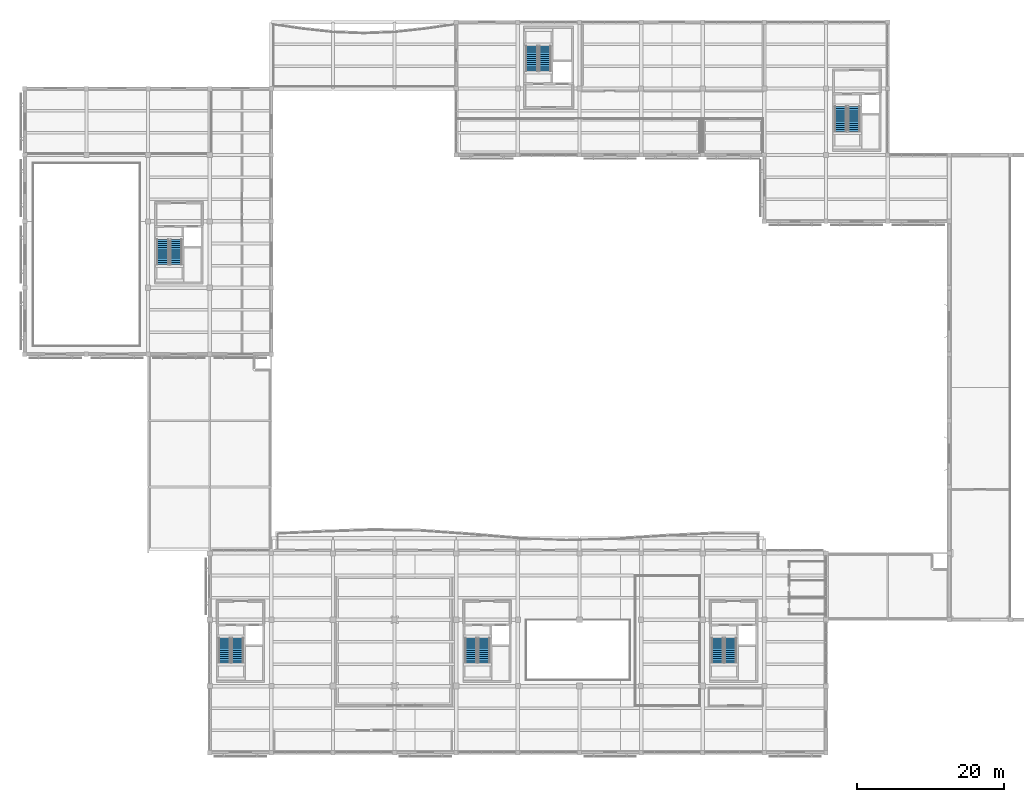
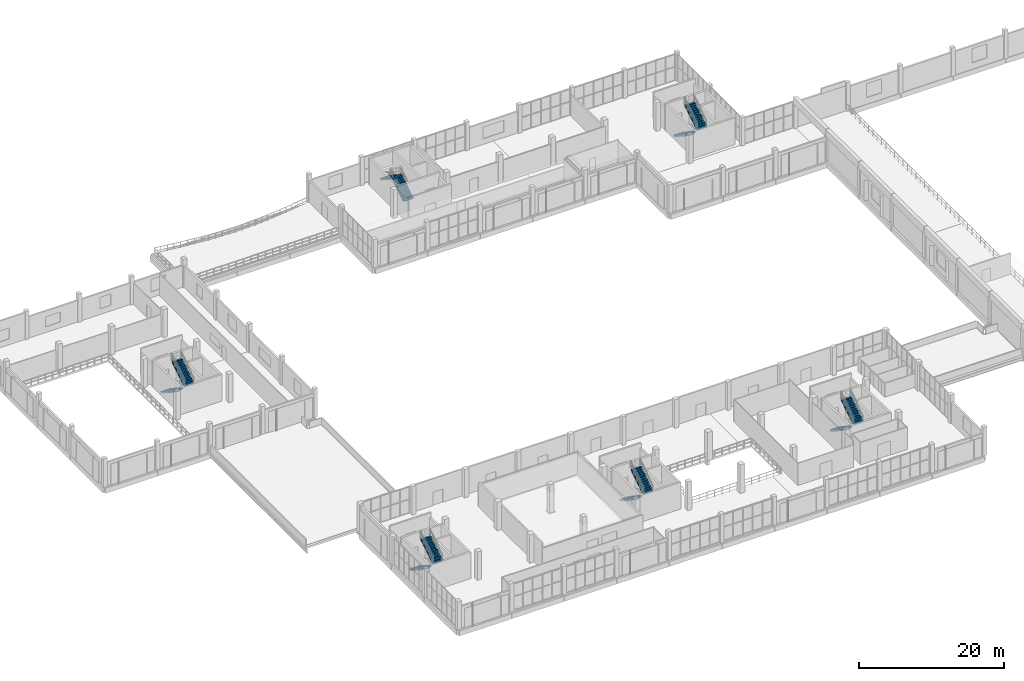
# One storey, part 63 of 80: 12 stair flights, 6 elements without a shape of their own.
"""IFC4 building model written with IfcOpenShell, lengths in metres."""

from ifc_helpers import new_model, si_unit, direction, frame, origin, place, context, subcontext, project, spatial, polyline, outline, extrude, material, type_object, element, aggregate, save


model = new_model("IFC4")

# Units and contexts
model_context = context("Model", 3, precision=1e-05, world=origin(), true_north=direction((0.0, 1.0)))
body_context = subcontext(model_context, "Body", "Model", "MODEL_VIEW")
ifc_project = project(units=[si_unit("LENGTHUNIT", "METRE"), si_unit("AREAUNIT", "SQUARE_METRE"), si_unit("VOLUMEUNIT", "CUBIC_METRE"), si_unit("PLANEANGLEUNIT", "RADIAN"), si_unit("MASSUNIT", "GRAM", prefix="KILO")], contexts=[model_context])

# Site, building, storey
site_placement = place(None, origin())
site = spatial("IfcSite", under=ifc_project, at=site_placement, CompositionType="ELEMENT")
building_placement = place(site_placement, origin())
building = spatial("IfcBuilding", under=site, at=building_placement, Name="Khurvash Pelagic Aquarium", CompositionType="ELEMENT")
storey_placement = place(building_placement, frame((0.0, 0.0, 10.800048828125)))
storey = spatial("IfcBuildingStorey", under=building, at=storey_placement, Name="L02", CompositionType="ELEMENT", Elevation=10.800048828125)

# Stair, stair flights
ifc_material = material(Name="Concrete C35/45", Category="concrete")
stair_type_1 = type_object("IfcStairType", Name="ST-01", PredefinedType="HALF_TURN_STAIR", material=ifc_material)
stair_1_placement = place(storey_placement, origin())
stair_1 = element("IfcStair", 1, at=stair_1_placement, inside=storey, type_object=stair_type_1, Name="L02 Protected Exit Stair ST-01", PredefinedType="HALF_TURN_STAIR")
stair_flight_type = type_object("IfcStairFlightType", Name="SF-150", PredefinedType="STRAIGHT", material=ifc_material)
stair_flight_1_placement = place(storey_placement, frame((27.199951171875, 18.25, 0.0), z_axis=(0.0, 0.0, 1.0), x_axis=(0.0, -1.0, 0.0)))
stair_flight_1 = element("IfcStairFlight", 2, at=stair_flight_1_placement, type_object=stair_flight_type, Name="ST-01 flight 1", NumberOfRisers=13, NumberOfTreads=12, PredefinedType="STRAIGHT", RiserHeight=0.184615385, TreadLength=0.285, context=body_context, shape_type="SweptSolid", body=[
    extrude(outline(polyline([(0.0, 0.0), (0.0, 0.1845703125), (0.284912109375, 0.1845703125), (0.284912109375, 0.369140625), (0.570068359375, 0.369140625), (0.570068359375, 0.553955078125), (0.85498046875, 0.553955078125), (0.85498046875, 0.738525390625), (1.139892578125, 0.738525390625), (1.139892578125, 0.923095703125), (1.425048828125, 0.923095703125), (1.425048828125, 1.107666015625), (1.7099609375, 1.107666015625), (1.7099609375, 1.292236328125), (1.9951171875, 1.292236328125), (1.9951171875, 1.476806640625), (2.280029296875, 1.476806640625), (2.280029296875, 1.66162109375), (2.56494140625, 1.66162109375), (2.56494140625, 1.84619140625), (2.85009765625, 1.84619140625), (2.85009765625, 2.03076171875), (3.135009765625, 2.03076171875), (3.135009765625, 2.21533203125), (3.419921875, 2.21533203125), (3.419921875, 2.39990234375), (3.419921875, 2.0009765625), (0.3310546875, 0.0), (0.0, 0.0)])), frame((0.0, 0.800048828125, 0.0), z_axis=(0.0, -1.0, 0.0), x_axis=(1.0, 0.0, 0.0)), (0.0, 0.0, 1.0), 1.60009765625),
])
stair_flight_2_placement = place(storey_placement, frame((29.0, 14.830078125, 2.39990234375), z_axis=(0.0, 0.0, 1.0), x_axis=(0.0, 1.0, 0.0)))
stair_flight_2 = element("IfcStairFlight", 3, at=stair_flight_2_placement, type_object=stair_flight_type, Name="ST-01 flight 2", NumberOfRisers=13, NumberOfTreads=12, PredefinedType="STRAIGHT", RiserHeight=0.184615385, TreadLength=0.285, context=body_context, shape_type="SweptSolid", body=[
    extrude(outline(polyline([(0.0, 0.0), (0.0, 0.1845703125), (0.284912109375, 0.1845703125), (0.284912109375, 0.369140625), (0.570068359375, 0.369140625), (0.570068359375, 0.553955078125), (0.85498046875, 0.553955078125), (0.85498046875, 0.738525390625), (1.139892578125, 0.738525390625), (1.139892578125, 0.923095703125), (1.425048828125, 0.923095703125), (1.425048828125, 1.107666015625), (1.7099609375, 1.107666015625), (1.7099609375, 1.292236328125), (1.9951171875, 1.292236328125), (1.9951171875, 1.476806640625), (2.280029296875, 1.476806640625), (2.280029296875, 1.66162109375), (2.56494140625, 1.66162109375), (2.56494140625, 1.84619140625), (2.85009765625, 1.84619140625), (2.85009765625, 2.03076171875), (3.135009765625, 2.03076171875), (3.135009765625, 2.21533203125), (3.419921875, 2.21533203125), (3.419921875, 2.39990234375), (3.419921875, 2.0009765625), (0.3310546875, 0.0), (0.0, 0.0)])), frame((0.0, 0.800048828125, 0.0), z_axis=(0.0, -1.0, 0.0), x_axis=(1.0, 0.0, 0.0)), (0.0, 0.0, 1.0), 1.60009765625),
])
aggregate(stair_1, [stair_flight_1, stair_flight_2])

stair_type_2 = type_object("IfcStairType", Name="ST-02", PredefinedType="HALF_TURN_STAIR", material=ifc_material)
stair_2_placement = place(storey_placement, origin())
stair_2 = element("IfcStair", 4, at=stair_2_placement, inside=storey, type_object=stair_type_2, Name="L02 Protected Exit Stair ST-02", PredefinedType="HALF_TURN_STAIR")
stair_flight_3_placement = place(storey_placement, frame((60.800048828125, 18.25, 0.0), z_axis=(0.0, 0.0, 1.0), x_axis=(0.0, -1.0, 0.0)))
stair_flight_3 = element("IfcStairFlight", 5, at=stair_flight_3_placement, type_object=stair_flight_type, Name="ST-02 flight 1", NumberOfRisers=13, NumberOfTreads=12, PredefinedType="STRAIGHT", RiserHeight=0.184615385, TreadLength=0.285, context=body_context, shape_type="SweptSolid", body=[
    extrude(outline(polyline([(0.0, 0.0), (0.0, 0.1845703125), (0.284912109375, 0.1845703125), (0.284912109375, 0.369140625), (0.570068359375, 0.369140625), (0.570068359375, 0.553955078125), (0.85498046875, 0.553955078125), (0.85498046875, 0.738525390625), (1.139892578125, 0.738525390625), (1.139892578125, 0.923095703125), (1.425048828125, 0.923095703125), (1.425048828125, 1.107666015625), (1.7099609375, 1.107666015625), (1.7099609375, 1.292236328125), (1.9951171875, 1.292236328125), (1.9951171875, 1.476806640625), (2.280029296875, 1.476806640625), (2.280029296875, 1.66162109375), (2.56494140625, 1.66162109375), (2.56494140625, 1.84619140625), (2.85009765625, 1.84619140625), (2.85009765625, 2.03076171875), (3.135009765625, 2.03076171875), (3.135009765625, 2.21533203125), (3.419921875, 2.21533203125), (3.419921875, 2.39990234375), (3.419921875, 2.0009765625), (0.3310546875, 0.0), (0.0, 0.0)])), frame((0.0, 0.800048828125, 0.0), z_axis=(0.0, -1.0, 0.0), x_axis=(1.0, 0.0, 0.0)), (0.0, 0.0, 1.0), 1.60009765625),
])
stair_flight_4_placement = place(storey_placement, frame((62.60009765625, 14.830078125, 2.39990234375), z_axis=(0.0, 0.0, 1.0), x_axis=(0.0, 1.0, 0.0)))
stair_flight_4 = element("IfcStairFlight", 6, at=stair_flight_4_placement, type_object=stair_flight_type, Name="ST-02 flight 2", NumberOfRisers=13, NumberOfTreads=12, PredefinedType="STRAIGHT", RiserHeight=0.184615385, TreadLength=0.285, context=body_context, shape_type="SweptSolid", body=[
    extrude(outline(polyline([(0.0, 0.0), (0.0, 0.1845703125), (0.284912109375, 0.1845703125), (0.284912109375, 0.369140625), (0.570068359375, 0.369140625), (0.570068359375, 0.553955078125), (0.85498046875, 0.553955078125), (0.85498046875, 0.738525390625), (1.139892578125, 0.738525390625), (1.139892578125, 0.923095703125), (1.425048828125, 0.923095703125), (1.425048828125, 1.107666015625), (1.7099609375, 1.107666015625), (1.7099609375, 1.292236328125), (1.9951171875, 1.292236328125), (1.9951171875, 1.476806640625), (2.280029296875, 1.476806640625), (2.280029296875, 1.66162109375), (2.56494140625, 1.66162109375), (2.56494140625, 1.84619140625), (2.85009765625, 1.84619140625), (2.85009765625, 2.03076171875), (3.135009765625, 2.03076171875), (3.135009765625, 2.21533203125), (3.419921875, 2.21533203125), (3.419921875, 2.39990234375), (3.419921875, 2.0009765625), (0.3310546875, 0.0), (0.0, 0.0)])), frame((0.0, 0.800048828125, 0.0), z_axis=(0.0, -1.0, 0.0), x_axis=(1.0, 0.0, 0.0)), (0.0, 0.0, 1.0), 1.60009765625),
])
aggregate(stair_2, [stair_flight_3, stair_flight_4])

stair_type_3 = type_object("IfcStairType", Name="ST-03", PredefinedType="HALF_TURN_STAIR", material=ifc_material)
stair_3_placement = place(storey_placement, origin())
stair_3 = element("IfcStair", 7, at=stair_3_placement, inside=storey, type_object=stair_type_3, Name="L02 Protected Exit Stair ST-03", PredefinedType="HALF_TURN_STAIR")
stair_flight_5_placement = place(storey_placement, frame((94.39990234375, 18.25, 0.0), z_axis=(0.0, 0.0, 1.0), x_axis=(0.0, -1.0, 0.0)))
stair_flight_5 = element("IfcStairFlight", 8, at=stair_flight_5_placement, type_object=stair_flight_type, Name="ST-03 flight 1", NumberOfRisers=13, NumberOfTreads=12, PredefinedType="STRAIGHT", RiserHeight=0.184615385, TreadLength=0.285, context=body_context, shape_type="SweptSolid", body=[
    extrude(outline(polyline([(0.0, 0.0), (0.0, 0.1845703125), (0.284912109375, 0.1845703125), (0.284912109375, 0.369140625), (0.570068359375, 0.369140625), (0.570068359375, 0.553955078125), (0.85498046875, 0.553955078125), (0.85498046875, 0.738525390625), (1.139892578125, 0.738525390625), (1.139892578125, 0.923095703125), (1.425048828125, 0.923095703125), (1.425048828125, 1.107666015625), (1.7099609375, 1.107666015625), (1.7099609375, 1.292236328125), (1.9951171875, 1.292236328125), (1.9951171875, 1.476806640625), (2.280029296875, 1.476806640625), (2.280029296875, 1.66162109375), (2.56494140625, 1.66162109375), (2.56494140625, 1.84619140625), (2.85009765625, 1.84619140625), (2.85009765625, 2.03076171875), (3.135009765625, 2.03076171875), (3.135009765625, 2.21533203125), (3.419921875, 2.21533203125), (3.419921875, 2.39990234375), (3.419921875, 2.0009765625), (0.3310546875, 0.0), (0.0, 0.0)])), frame((0.0, 0.800048828125, 0.0), z_axis=(0.0, -1.0, 0.0), x_axis=(1.0, 0.0, 0.0)), (0.0, 0.0, 1.0), 1.60009765625),
])
stair_flight_6_placement = place(storey_placement, frame((96.199951171875, 14.830078125, 2.39990234375), z_axis=(0.0, 0.0, 1.0), x_axis=(0.0, 1.0, 0.0)))
stair_flight_6 = element("IfcStairFlight", 9, at=stair_flight_6_placement, type_object=stair_flight_type, Name="ST-03 flight 2", NumberOfRisers=13, NumberOfTreads=12, PredefinedType="STRAIGHT", RiserHeight=0.184615385, TreadLength=0.285, context=body_context, shape_type="SweptSolid", body=[
    extrude(outline(polyline([(0.0, 0.0), (0.0, 0.1845703125), (0.284912109375, 0.1845703125), (0.284912109375, 0.369140625), (0.570068359375, 0.369140625), (0.570068359375, 0.553955078125), (0.85498046875, 0.553955078125), (0.85498046875, 0.738525390625), (1.139892578125, 0.738525390625), (1.139892578125, 0.923095703125), (1.425048828125, 0.923095703125), (1.425048828125, 1.107666015625), (1.7099609375, 1.107666015625), (1.7099609375, 1.292236328125), (1.9951171875, 1.292236328125), (1.9951171875, 1.476806640625), (2.280029296875, 1.476806640625), (2.280029296875, 1.66162109375), (2.56494140625, 1.66162109375), (2.56494140625, 1.84619140625), (2.85009765625, 1.84619140625), (2.85009765625, 2.03076171875), (3.135009765625, 2.03076171875), (3.135009765625, 2.21533203125), (3.419921875, 2.21533203125), (3.419921875, 2.39990234375), (3.419921875, 2.0009765625), (0.3310546875, 0.0), (0.0, 0.0)])), frame((0.0, 0.800048828125, 0.0), z_axis=(0.0, -1.0, 0.0), x_axis=(1.0, 0.0, 0.0)), (0.0, 0.0, 1.0), 1.60009765625),
])
aggregate(stair_3, [stair_flight_5, stair_flight_6])

stair_type_4 = type_object("IfcStairType", Name="ST-04", PredefinedType="HALF_TURN_STAIR", material=ifc_material)
stair_4_placement = place(storey_placement, origin())
stair_4 = element("IfcStair", 10, at=stair_4_placement, inside=storey, type_object=stair_type_4, Name="L02 Protected Exit Stair ST-04", PredefinedType="HALF_TURN_STAIR")
stair_flight_7_placement = place(storey_placement, frame((70.89990234375, 95.5, 0.0), z_axis=(0.0, 0.0, 1.0), x_axis=(0.0, 1.0, 0.0)))
stair_flight_7 = element("IfcStairFlight", 11, at=stair_flight_7_placement, type_object=stair_flight_type, Name="ST-04 flight 1", NumberOfRisers=13, NumberOfTreads=12, PredefinedType="STRAIGHT", RiserHeight=0.184615385, TreadLength=0.285, context=body_context, shape_type="SweptSolid", body=[
    extrude(outline(polyline([(0.0, 0.0), (0.0, 0.1845703125), (0.284912109375, 0.1845703125), (0.284912109375, 0.369140625), (0.570068359375, 0.369140625), (0.570068359375, 0.553955078125), (0.85498046875, 0.553955078125), (0.85498046875, 0.738525390625), (1.139892578125, 0.738525390625), (1.139892578125, 0.923095703125), (1.425048828125, 0.923095703125), (1.425048828125, 1.107666015625), (1.7099609375, 1.107666015625), (1.7099609375, 1.292236328125), (1.9951171875, 1.292236328125), (1.9951171875, 1.476806640625), (2.280029296875, 1.476806640625), (2.280029296875, 1.66162109375), (2.56494140625, 1.66162109375), (2.56494140625, 1.84619140625), (2.85009765625, 1.84619140625), (2.85009765625, 2.03076171875), (3.135009765625, 2.03076171875), (3.135009765625, 2.21533203125), (3.419921875, 2.21533203125), (3.419921875, 2.39990234375), (3.419921875, 2.0009765625), (0.3310546875, 0.0), (0.0, 0.0)])), frame((0.0, 0.800048828125, 0.0), z_axis=(0.0, -1.0, 0.0), x_axis=(1.0, 0.0, 0.0)), (0.0, 0.0, 1.0), 1.60009765625),
])
stair_flight_8_placement = place(storey_placement, frame((69.10009765625, 98.919921875, 2.39990234375), z_axis=(0.0, 0.0, 1.0), x_axis=(0.0, -1.0, 0.0)))
stair_flight_8 = element("IfcStairFlight", 12, at=stair_flight_8_placement, type_object=stair_flight_type, Name="ST-04 flight 2", NumberOfRisers=13, NumberOfTreads=12, PredefinedType="STRAIGHT", RiserHeight=0.184615385, TreadLength=0.285, context=body_context, shape_type="SweptSolid", body=[
    extrude(outline(polyline([(0.0, 0.0), (0.0, 0.1845703125), (0.284912109375, 0.1845703125), (0.284912109375, 0.369140625), (0.570068359375, 0.369140625), (0.570068359375, 0.553955078125), (0.85498046875, 0.553955078125), (0.85498046875, 0.738525390625), (1.139892578125, 0.738525390625), (1.139892578125, 0.923095703125), (1.425048828125, 0.923095703125), (1.425048828125, 1.107666015625), (1.7099609375, 1.107666015625), (1.7099609375, 1.292236328125), (1.9951171875, 1.292236328125), (1.9951171875, 1.476806640625), (2.280029296875, 1.476806640625), (2.280029296875, 1.66162109375), (2.56494140625, 1.66162109375), (2.56494140625, 1.84619140625), (2.85009765625, 1.84619140625), (2.85009765625, 2.03076171875), (3.135009765625, 2.03076171875), (3.135009765625, 2.21533203125), (3.419921875, 2.21533203125), (3.419921875, 2.39990234375), (3.419921875, 2.0009765625), (0.3310546875, 0.0), (0.0, 0.0)])), frame((0.0, 0.800048828125, 0.0), z_axis=(0.0, -1.0, 0.0), x_axis=(1.0, 0.0, 0.0)), (0.0, 0.0, 1.0), 1.60009765625),
])
aggregate(stair_4, [stair_flight_7, stair_flight_8])

stair_type_5 = type_object("IfcStairType", Name="ST-05", PredefinedType="HALF_TURN_STAIR", material=ifc_material)
stair_5_placement = place(storey_placement, origin())
stair_5 = element("IfcStair", 13, at=stair_5_placement, inside=storey, type_object=stair_type_5, Name="L02 Protected Exit Stair ST-05", PredefinedType="HALF_TURN_STAIR")
stair_flight_9_placement = place(storey_placement, frame((18.800048828125, 72.550048828125, 0.0), z_axis=(0.0, 0.0, 1.0), x_axis=(0.0, -1.0, 0.0)))
stair_flight_9 = element("IfcStairFlight", 14, at=stair_flight_9_placement, type_object=stair_flight_type, Name="ST-05 flight 1", NumberOfRisers=13, NumberOfTreads=12, PredefinedType="STRAIGHT", RiserHeight=0.184615385, TreadLength=0.285, context=body_context, shape_type="SweptSolid", body=[
    extrude(outline(polyline([(0.0, 0.0), (0.0, 0.1845703125), (0.284912109375, 0.1845703125), (0.284912109375, 0.369140625), (0.570068359375, 0.369140625), (0.570068359375, 0.553955078125), (0.85498046875, 0.553955078125), (0.85498046875, 0.738525390625), (1.139892578125, 0.738525390625), (1.139892578125, 0.923095703125), (1.425048828125, 0.923095703125), (1.425048828125, 1.107666015625), (1.7099609375, 1.107666015625), (1.7099609375, 1.292236328125), (1.9951171875, 1.292236328125), (1.9951171875, 1.476806640625), (2.280029296875, 1.476806640625), (2.280029296875, 1.66162109375), (2.56494140625, 1.66162109375), (2.56494140625, 1.84619140625), (2.85009765625, 1.84619140625), (2.85009765625, 2.03076171875), (3.135009765625, 2.03076171875), (3.135009765625, 2.21533203125), (3.419921875, 2.21533203125), (3.419921875, 2.39990234375), (3.419921875, 2.0009765625), (0.3310546875, 0.0), (0.0, 0.0)])), frame((0.0, 0.800048828125, 0.0), z_axis=(0.0, -1.0, 0.0), x_axis=(1.0, 0.0, 0.0)), (0.0, 0.0, 1.0), 1.60009765625),
])
stair_flight_10_placement = place(storey_placement, frame((20.60009765625, 69.1298828125, 2.39990234375), z_axis=(0.0, 0.0, 1.0), x_axis=(0.0, 1.0, 0.0)))
stair_flight_10 = element("IfcStairFlight", 15, at=stair_flight_10_placement, type_object=stair_flight_type, Name="ST-05 flight 2", NumberOfRisers=13, NumberOfTreads=12, PredefinedType="STRAIGHT", RiserHeight=0.184615385, TreadLength=0.285, context=body_context, shape_type="SweptSolid", body=[
    extrude(outline(polyline([(0.0, 0.0), (0.0, 0.1845703125), (0.284912109375, 0.1845703125), (0.284912109375, 0.369140625), (0.570068359375, 0.369140625), (0.570068359375, 0.553955078125), (0.85498046875, 0.553955078125), (0.85498046875, 0.738525390625), (1.139892578125, 0.738525390625), (1.139892578125, 0.923095703125), (1.425048828125, 0.923095703125), (1.425048828125, 1.107666015625), (1.7099609375, 1.107666015625), (1.7099609375, 1.292236328125), (1.9951171875, 1.292236328125), (1.9951171875, 1.476806640625), (2.280029296875, 1.476806640625), (2.280029296875, 1.66162109375), (2.56494140625, 1.66162109375), (2.56494140625, 1.84619140625), (2.85009765625, 1.84619140625), (2.85009765625, 2.03076171875), (3.135009765625, 2.03076171875), (3.135009765625, 2.21533203125), (3.419921875, 2.21533203125), (3.419921875, 2.39990234375), (3.419921875, 2.0009765625), (0.3310546875, 0.0), (0.0, 0.0)])), frame((0.0, 0.800048828125, 0.0), z_axis=(0.0, -1.0, 0.0), x_axis=(1.0, 0.0, 0.0)), (0.0, 0.0, 1.0), 1.60009765625),
])
aggregate(stair_5, [stair_flight_9, stair_flight_10])

stair_type_6 = type_object("IfcStairType", Name="ST-06", PredefinedType="HALF_TURN_STAIR", material=ifc_material)
stair_6_placement = place(storey_placement, origin())
stair_6 = element("IfcStair", 16, at=stair_6_placement, inside=storey, type_object=stair_type_6, Name="L02 Protected Exit Stair ST-06", PredefinedType="HALF_TURN_STAIR")
stair_flight_11_placement = place(storey_placement, frame((111.199951171875, 90.64990234375, 0.0), z_axis=(0.0, 0.0, 1.0), x_axis=(0.0, -1.0, 0.0)))
stair_flight_11 = element("IfcStairFlight", 17, at=stair_flight_11_placement, type_object=stair_flight_type, Name="ST-06 flight 1", NumberOfRisers=13, NumberOfTreads=12, PredefinedType="STRAIGHT", RiserHeight=0.184615385, TreadLength=0.285, context=body_context, shape_type="SweptSolid", body=[
    extrude(outline(polyline([(0.0, 0.0), (0.0, 0.1845703125), (0.284912109375, 0.1845703125), (0.284912109375, 0.369140625), (0.570068359375, 0.369140625), (0.570068359375, 0.553955078125), (0.85498046875, 0.553955078125), (0.85498046875, 0.738525390625), (1.139892578125, 0.738525390625), (1.139892578125, 0.923095703125), (1.425048828125, 0.923095703125), (1.425048828125, 1.107666015625), (1.7099609375, 1.107666015625), (1.7099609375, 1.292236328125), (1.9951171875, 1.292236328125), (1.9951171875, 1.476806640625), (2.280029296875, 1.476806640625), (2.280029296875, 1.66162109375), (2.56494140625, 1.66162109375), (2.56494140625, 1.84619140625), (2.85009765625, 1.84619140625), (2.85009765625, 2.03076171875), (3.135009765625, 2.03076171875), (3.135009765625, 2.21533203125), (3.419921875, 2.21533203125), (3.419921875, 2.39990234375), (3.419921875, 2.0009765625), (0.3310546875, 0.0), (0.0, 0.0)])), frame((0.0, 0.800048828125, 0.0), z_axis=(0.0, -1.0, 0.0), x_axis=(1.0, 0.0, 0.0)), (0.0, 0.0, 1.0), 1.60009765625),
])
stair_flight_12_placement = place(storey_placement, frame((113.0, 87.22998046875, 2.39990234375), z_axis=(0.0, 0.0, 1.0), x_axis=(0.0, 1.0, 0.0)))
stair_flight_12 = element("IfcStairFlight", 18, at=stair_flight_12_placement, type_object=stair_flight_type, Name="ST-06 flight 2", NumberOfRisers=13, NumberOfTreads=12, PredefinedType="STRAIGHT", RiserHeight=0.184615385, TreadLength=0.285, context=body_context, shape_type="SweptSolid", body=[
    extrude(outline(polyline([(0.0, 0.0), (0.0, 0.1845703125), (0.284912109375, 0.1845703125), (0.284912109375, 0.369140625), (0.570068359375, 0.369140625), (0.570068359375, 0.553955078125), (0.85498046875, 0.553955078125), (0.85498046875, 0.738525390625), (1.139892578125, 0.738525390625), (1.139892578125, 0.923095703125), (1.425048828125, 0.923095703125), (1.425048828125, 1.107666015625), (1.7099609375, 1.107666015625), (1.7099609375, 1.292236328125), (1.9951171875, 1.292236328125), (1.9951171875, 1.476806640625), (2.280029296875, 1.476806640625), (2.280029296875, 1.66162109375), (2.56494140625, 1.66162109375), (2.56494140625, 1.84619140625), (2.85009765625, 1.84619140625), (2.85009765625, 2.03076171875), (3.135009765625, 2.03076171875), (3.135009765625, 2.21533203125), (3.419921875, 2.21533203125), (3.419921875, 2.39990234375), (3.419921875, 2.0009765625), (0.3310546875, 0.0), (0.0, 0.0)])), frame((0.0, 0.800048828125, 0.0), z_axis=(0.0, -1.0, 0.0), x_axis=(1.0, 0.0, 0.0)), (0.0, 0.0, 1.0), 1.60009765625),
])
aggregate(stair_6, [stair_flight_11, stair_flight_12])

save(model, "model.ifc")
